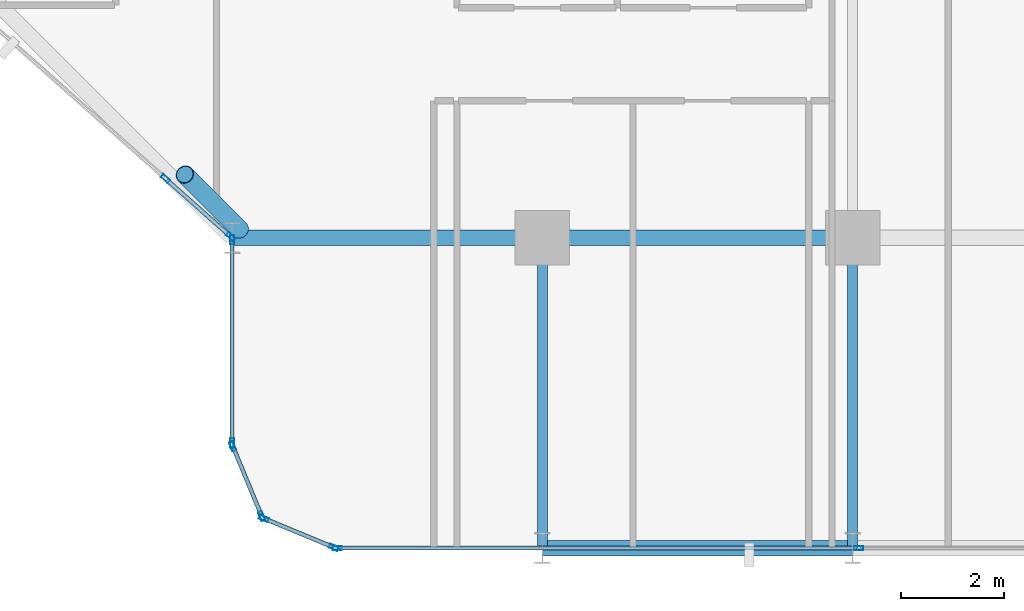
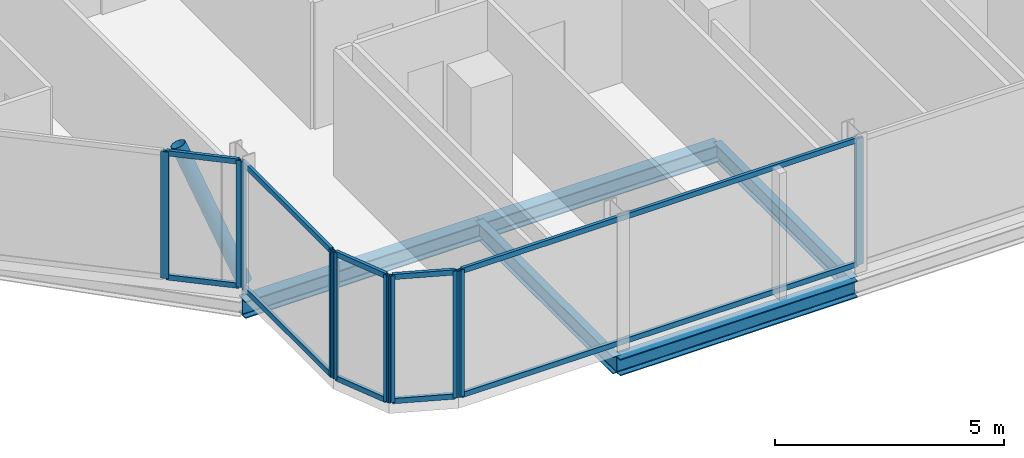
# One storey, part 4 of 29: 21 members, 5 beams, 5 elements without a shape of their own.
"""IFC4 building model written with IfcOpenShell, lengths in metres."""

from ifc_helpers import new_model, si_unit, direction, frame, origin, origin_2d, place, context, subcontext, project, spatial, hollow_rectangle, hollow_circle, i_section, extrude, material, layer, layer_set, material_profile, profile_set, type_object, element, aggregate, save


model = new_model("IFC4")

# Units and contexts
model_context = context("Model", 3, precision=1e-05, world=origin(), true_north=direction((0.0, 1.0)))
body_context = subcontext(model_context, "Body", "Model", "MODEL_VIEW")
ifc_project = project(units=[si_unit("LENGTHUNIT", "METRE"), si_unit("AREAUNIT", "SQUARE_METRE"), si_unit("VOLUMEUNIT", "CUBIC_METRE"), si_unit("PLANEANGLEUNIT", "RADIAN"), si_unit("MASSUNIT", "GRAM", prefix="KILO")], contexts=[model_context])

# Site, building, storey
site_placement = place(None, origin())
site = spatial("IfcSite", under=ifc_project, at=site_placement, CompositionType="ELEMENT")
building_placement = place(site_placement, origin())
building = spatial("IfcBuilding", under=site, at=building_placement, Name="Keshet Zoharim Tower", CompositionType="ELEMENT")
storey_placement = place(building_placement, frame((0.0, 0.0, 102.0)))
storey = spatial("IfcBuildingStorey", under=building, at=storey_placement, Name="L24", CompositionType="ELEMENT", Elevation=102.0)

# Beams
ifc_material_1 = material(Name="Steel S355", Category="steel")
ifc_material_profile_1 = material_profile(ifc_material_1, i_section(OverallWidth=0.18994140625, OverallDepth=0.449951171875, WebThickness=0.009521484375, FlangeThickness=0.0146484375, FilletRadius=0.02099609375, at=origin_2d()), Name="IPE450")
ifc_profile_set_1 = profile_set([ifc_material_profile_1], Name="Steel S355")
beam_type_1 = type_object("IfcBeamType", Name="BM-PRI-IP450", PredefinedType="BEAM", material=ifc_profile_set_1)
for number, where, z_axis, x_axis, name in (
    (1, (27.0, 0.699951171875, -0.5400390625), (0.0, 1.0, 0.0), (-1.0, 0.0, 0.0), "L24 Primary Girder Y-004"),
    (2, (33.0, 0.699951171875, -0.5400390625), (0.0, 1.0, 0.0), (-1.0, 0.0, 0.0), "L24 Primary Girder Y-005"),
):
    element("IfcBeam", number, at=place(storey_placement, frame(where, z_axis=z_axis, x_axis=x_axis)), inside=storey, type_object=beam_type_1, Name=name, PredefinedType="BEAM", context=body_context, shape_type="SweptSolid", body=[
        extrude(i_section(OverallWidth=0.18994140625, OverallDepth=0.449951171875, WebThickness=0.009521484375, FlangeThickness=0.0146484375, FilletRadius=0.02099609375, at=origin_2d()), origin(), (0.0, 0.0, 1.0), 6.0),
    ])
ifc_material_profile_2 = material_profile(ifc_material_1, i_section(OverallWidth=0.300048828125, OverallDepth=0.449951171875, WebThickness=0.013916015625, FlangeThickness=0.02587890625, FilletRadius=0.027099609375, at=origin_2d()), Name="HEB450")
ifc_profile_set_2 = profile_set([ifc_material_profile_2], Name="Steel S355")
beam_type_2 = type_object("IfcBeamType", Name="BM-WEB-HB450", PredefinedType="BEAM", material=ifc_profile_set_2)
for number, where, z_axis, x_axis, name in (
    (3, (27.0, 0.699951171875, -0.5400390625), (1.0, 0.0, 0.0), (0.0, 1.0, 0.0), "L24 Primary Girder X-001"),
    (4, (21.0, 6.699951171875, -0.5400390625), (1.0, 0.0, 0.0), (0.0, 1.0, 0.0), "L24 Primary Girder X-005"),
    (5, (27.0, 6.699951171875, -0.5400390625), (1.0, 0.0, 0.0), (0.0, 1.0, 0.0), "L24 Primary Girder X-006"),
):
    element("IfcBeam", number, at=place(storey_placement, frame(where, z_axis=z_axis, x_axis=x_axis)), inside=storey, type_object=beam_type_2, Name=name, PredefinedType="BEAM", context=body_context, shape_type="SweptSolid", body=[
        extrude(i_section(OverallWidth=0.300048828125, OverallDepth=0.449951171875, WebThickness=0.013916015625, FlangeThickness=0.02587890625, FilletRadius=0.027099609375, at=origin_2d()), origin(), (0.0, 0.0, 1.0), 6.0),
    ])

# Curtain wall, members
ifc_material_2 = material(Name="Aluminium 6063-T6", Category="aluminium")
ifc_layer = layer(ifc_material_2, 0.159912109375)
ifc_layer_set = layer_set([ifc_layer], Name="Aluminium 6063-T6")
curtain_wall_type = type_object("IfcCurtainWallType", Name="CW-SYS-03", PredefinedType="NOTDEFINED", material=ifc_layer_set)
curtain_wall_1_placement = place(storey_placement, origin())
curtain_wall_1 = element("IfcCurtainWall", 6, at=curtain_wall_1_placement, inside=storey, type_object=curtain_wall_type, Name="L24 Unitised Curtain Wall 03 Part 3", PredefinedType="NOTDEFINED")
ifc_material_profile_3 = material_profile(ifc_material_2, hollow_rectangle(XDim=0.080078125, YDim=0.179931640625, WallThickness=0.00439453125, at=origin_2d()), Name="MUL-80x180")
ifc_profile_set_3 = profile_set([ifc_material_profile_3], Name="Aluminium 6063-T6")
member_type_1 = type_object("IfcMemberType", Name="CWM-M18", PredefinedType="MULLION", material=ifc_profile_set_3)
member_1_placement = place(storey_placement, frame((33.11865234375, 0.699951171875, 0.0), z_axis=(0.0, 0.0, 1.0), x_axis=(0.0, -1.0, 0.0)))
member_1 = element("IfcMember", 7, at=member_1_placement, type_object=member_type_1, Name="CW-03 mullion 2", PredefinedType="MULLION", context=body_context, shape_type="SweptSolid", body=[
    extrude(hollow_rectangle(XDim=0.080078125, YDim=0.179931640625, WallThickness=0.00439453125, at=origin_2d()), origin(), (0.0, 0.0, 1.0), 3.385009765625),
])
member_2_placement = place(storey_placement, frame((23.034912109375, 0.699951171875, 0.0), z_axis=(0.0, 0.0, 1.0), x_axis=(0.0, -1.0, 0.0)))
member_2 = element("IfcMember", 8, at=member_2_placement, type_object=member_type_1, Name="CW-03 mullion 3", PredefinedType="MULLION", context=body_context, shape_type="SweptSolid", body=[
    extrude(hollow_rectangle(XDim=0.080078125, YDim=0.179931640625, WallThickness=0.00439453125, at=origin_2d()), origin(), (0.0, 0.0, 1.0), 3.385009765625),
])

curtain_wall_2_placement = place(storey_placement, origin())
curtain_wall_2 = element("IfcCurtainWall", 9, at=curtain_wall_2_placement, inside=storey, type_object=curtain_wall_type, Name="L24 Unitised Curtain Wall 04", PredefinedType="NOTDEFINED")
member_3_placement = place(storey_placement, frame((22.9677734375, 0.71337890625, 0.0), z_axis=(0.0, 0.0, 1.0), x_axis=(-0.382851849847, -0.92380975372, 0.0)))
member_3 = element("IfcMember", 10, at=member_3_placement, type_object=member_type_1, Name="CW-03 mullion 1", PredefinedType="MULLION", context=body_context, shape_type="SweptSolid", body=[
    extrude(hollow_rectangle(XDim=0.080078125, YDim=0.179931640625, WallThickness=0.00439453125, at=origin_2d()), origin(), (0.0, 0.0, 1.0), 3.385009765625),
])
member_4_placement = place(storey_placement, frame((21.618408203125, 1.272705078125, 0.0), z_axis=(0.0, 0.0, 1.0), x_axis=(-0.382851849847, -0.92380975372, 0.0)))
member_4 = element("IfcMember", 11, at=member_4_placement, type_object=member_type_1, Name="CW-03 mullion 2", PredefinedType="MULLION", context=body_context, shape_type="SweptSolid", body=[
    extrude(hollow_rectangle(XDim=0.080078125, YDim=0.179931640625, WallThickness=0.00439453125, at=origin_2d()), origin(), (0.0, 0.0, 1.0), 3.385009765625),
])

curtain_wall_3_placement = place(storey_placement, origin())
curtain_wall_3 = element("IfcCurtainWall", 12, at=curtain_wall_3_placement, inside=storey, type_object=curtain_wall_type, Name="L24 Unitised Curtain Wall 05", PredefinedType="NOTDEFINED")
member_5_placement = place(storey_placement, frame((21.572509765625, 1.318359375, 0.0), z_axis=(0.0, 0.0, 1.0), x_axis=(-0.92380975372, -0.382851849847, 0.0)))
member_5 = element("IfcMember", 13, at=member_5_placement, type_object=member_type_1, Name="CW-03 mullion 1", PredefinedType="MULLION", context=body_context, shape_type="SweptSolid", body=[
    extrude(hollow_rectangle(XDim=0.080078125, YDim=0.179931640625, WallThickness=0.00439453125, at=origin_2d()), origin(), (0.0, 0.0, 1.0), 3.385009765625),
])
member_6_placement = place(storey_placement, frame((21.013427734375, 2.667724609375, 0.0), z_axis=(0.0, 0.0, 1.0), x_axis=(-0.92380975372, -0.382851849847, 0.0)))
member_6 = element("IfcMember", 14, at=member_6_placement, type_object=member_type_1, Name="CW-03 mullion 2", PredefinedType="MULLION", context=body_context, shape_type="SweptSolid", body=[
    extrude(hollow_rectangle(XDim=0.080078125, YDim=0.179931640625, WallThickness=0.00439453125, at=origin_2d()), origin(), (0.0, 0.0, 1.0), 3.385009765625),
])

curtain_wall_4_placement = place(storey_placement, origin())
curtain_wall_4 = element("IfcCurtainWall", 15, at=curtain_wall_4_placement, inside=storey, type_object=curtain_wall_type, Name="L24 Unitised Curtain Wall 06", PredefinedType="NOTDEFINED")
member_7_placement = place(storey_placement, frame((21.0, 2.735107421875, 0.0), z_axis=(0.0, 0.0, 1.0), x_axis=(-1.0, 0.0, 0.0)))
member_7 = element("IfcMember", 16, at=member_7_placement, type_object=member_type_1, Name="CW-03 mullion 1", PredefinedType="MULLION", context=body_context, shape_type="SweptSolid", body=[
    extrude(hollow_rectangle(XDim=0.080078125, YDim=0.179931640625, WallThickness=0.00439453125, at=origin_2d()), origin(), (0.0, 0.0, 1.0), 3.385009765625),
])
member_8_placement = place(storey_placement, frame((21.0, 6.6650390625, 0.0), z_axis=(0.0, 0.0, 1.0), x_axis=(-1.0, 0.0, 0.0)))
member_8 = element("IfcMember", 17, at=member_8_placement, type_object=member_type_1, Name="CW-03 mullion 2", PredefinedType="MULLION", context=body_context, shape_type="SweptSolid", body=[
    extrude(hollow_rectangle(XDim=0.080078125, YDim=0.179931640625, WallThickness=0.00439453125, at=origin_2d()), origin(), (0.0, 0.0, 1.0), 3.385009765625),
])

curtain_wall_5_placement = place(storey_placement, origin())
curtain_wall_5 = element("IfcCurtainWall", 18, at=curtain_wall_5_placement, inside=storey, type_object=curtain_wall_type, Name="L24 Unitised Curtain Wall 07", PredefinedType="NOTDEFINED")
member_9_placement = place(storey_placement, frame((20.973876953125, 6.72314453125, 0.0), z_axis=(0.0, 0.0, 1.0), x_axis=(-0.664360312857, -0.747412452867, 0.0)))
member_9 = element("IfcMember", 19, at=member_9_placement, type_object=member_type_1, Name="CW-03 mullion 1", PredefinedType="MULLION", context=body_context, shape_type="SweptSolid", body=[
    extrude(hollow_rectangle(XDim=0.080078125, YDim=0.179931640625, WallThickness=0.00439453125, at=origin_2d()), origin(), (0.0, 0.0, 1.0), 3.385009765625),
])
member_10_placement = place(storey_placement, frame((19.71044921875, 7.84619140625, 0.0), z_axis=(0.0, 0.0, 1.0), x_axis=(-0.664360312857, -0.747412452867, 0.0)))
member_10 = element("IfcMember", 20, at=member_10_placement, type_object=member_type_1, Name="CW-03 mullion 2", PredefinedType="MULLION", context=body_context, shape_type="SweptSolid", body=[
    extrude(hollow_rectangle(XDim=0.080078125, YDim=0.179931640625, WallThickness=0.00439453125, at=origin_2d()), origin(), (0.0, 0.0, 1.0), 3.385009765625),
])

# Member
ifc_material_profile_4 = material_profile(ifc_material_2, hollow_rectangle(XDim=0.080078125, YDim=0.139892578125, WallThickness=0.00390625, at=origin_2d()), Name="TRN-80x140")
ifc_profile_set_4 = profile_set([ifc_material_profile_4], Name="Aluminium 6063-T6")
member_type_2 = type_object("IfcMemberType", Name="CWT-T14", PredefinedType="USERDEFINED", material=ifc_profile_set_4)
member_11_placement = place(storey_placement, frame((33.083740234375, 0.699951171875, 0.034912109375), z_axis=(-1.0, 0.0, 0.0), x_axis=(0.0, -1.0, 0.0)))
member_11 = element("IfcMember", 21, at=member_11_placement, type_object=member_type_2, Name="CW-03 transom 2.1", ObjectType="TRANSOM", PredefinedType="USERDEFINED", context=body_context, shape_type="SweptSolid", body=[
    extrude(hollow_rectangle(XDim=0.080078125, YDim=0.139892578125, WallThickness=0.00390625, at=origin_2d()), origin(), (0.0, 0.0, 1.0), 10.013671875),
])

member_12_placement = place(storey_placement, frame((33.083740234375, 0.699951171875, 3.35009765625), z_axis=(-1.0, 0.0, 0.0), x_axis=(0.0, -1.0, 0.0)))
member_12 = element("IfcMember", 22, at=member_12_placement, type_object=member_type_2, Name="CW-03 transom 2.2", ObjectType="TRANSOM", PredefinedType="USERDEFINED", context=body_context, shape_type="SweptSolid", body=[
    extrude(hollow_rectangle(XDim=0.080078125, YDim=0.139892578125, WallThickness=0.00390625, at=origin_2d()), origin(), (0.0, 0.0, 1.0), 10.013671875),
])

aggregate(curtain_wall_1, [member_1, member_2, member_11, member_12])

member_13_placement = place(storey_placement, frame((22.935302734375, 0.726806640625, 0.034912109375), z_axis=(-0.92379209995, 0.382894445076, 0.0), x_axis=(-0.382894445076, -0.92379209995, 0.0)))
member_13 = element("IfcMember", 23, at=member_13_placement, type_object=member_type_2, Name="CW-03 transom 1.1", ObjectType="TRANSOM", PredefinedType="USERDEFINED", context=body_context, shape_type="SweptSolid", body=[
    extrude(hollow_rectangle(XDim=0.080078125, YDim=0.139892578125, WallThickness=0.00390625, at=origin_2d()), origin(), (0.0, 0.0, 1.0), 1.390625),
])

member_14_placement = place(storey_placement, frame((22.935302734375, 0.726806640625, 3.35009765625), z_axis=(-0.92379209995, 0.382894445076, 0.0), x_axis=(-0.382894445076, -0.92379209995, 0.0)))
member_14 = element("IfcMember", 24, at=member_14_placement, type_object=member_type_2, Name="CW-03 transom 1.2", ObjectType="TRANSOM", PredefinedType="USERDEFINED", context=body_context, shape_type="SweptSolid", body=[
    extrude(hollow_rectangle(XDim=0.080078125, YDim=0.139892578125, WallThickness=0.00390625, at=origin_2d()), origin(), (0.0, 0.0, 1.0), 1.390625),
])

aggregate(curtain_wall_2, [member_3, member_4, member_13, member_14])

member_15_placement = place(storey_placement, frame((21.55908203125, 1.3505859375, 0.034912109375), z_axis=(-0.382744609247, 0.923854189844, 0.0), x_axis=(-0.923854189844, -0.382744609247, 0.0)))
member_15 = element("IfcMember", 25, at=member_15_placement, type_object=member_type_2, Name="CW-03 transom 1.1", ObjectType="TRANSOM", PredefinedType="USERDEFINED", context=body_context, shape_type="SweptSolid", body=[
    extrude(hollow_rectangle(XDim=0.080078125, YDim=0.139892578125, WallThickness=0.00390625, at=origin_2d()), origin(), (0.0, 0.0, 1.0), 1.390625),
])

member_16_placement = place(storey_placement, frame((21.55908203125, 1.3505859375, 3.35009765625), z_axis=(-0.382744609247, 0.923854189844, 0.0), x_axis=(-0.923854189844, -0.382744609247, 0.0)))
member_16 = element("IfcMember", 26, at=member_16_placement, type_object=member_type_2, Name="CW-03 transom 1.2", ObjectType="TRANSOM", PredefinedType="USERDEFINED", context=body_context, shape_type="SweptSolid", body=[
    extrude(hollow_rectangle(XDim=0.080078125, YDim=0.139892578125, WallThickness=0.00390625, at=origin_2d()), origin(), (0.0, 0.0, 1.0), 1.390625),
])

aggregate(curtain_wall_3, [member_5, member_6, member_15, member_16])

member_17_placement = place(storey_placement, frame((21.0, 2.77001953125, 0.034912109375), z_axis=(0.0, 1.0, 0.0), x_axis=(-1.0, 0.0, 0.0)))
member_17 = element("IfcMember", 27, at=member_17_placement, type_object=member_type_2, Name="CW-03 transom 1.1", ObjectType="TRANSOM", PredefinedType="USERDEFINED", context=body_context, shape_type="SweptSolid", body=[
    extrude(hollow_rectangle(XDim=0.080078125, YDim=0.139892578125, WallThickness=0.00390625, at=origin_2d()), origin(), (0.0, 0.0, 1.0), 3.85986328125),
])

member_18_placement = place(storey_placement, frame((21.0, 2.77001953125, 3.35009765625), z_axis=(0.0, 1.0, 0.0), x_axis=(-1.0, 0.0, 0.0)))
member_18 = element("IfcMember", 28, at=member_18_placement, type_object=member_type_2, Name="CW-03 transom 1.2", ObjectType="TRANSOM", PredefinedType="USERDEFINED", context=body_context, shape_type="SweptSolid", body=[
    extrude(hollow_rectangle(XDim=0.080078125, YDim=0.139892578125, WallThickness=0.00390625, at=origin_2d()), origin(), (0.0, 0.0, 1.0), 3.85986328125),
])

aggregate(curtain_wall_4, [member_7, member_8, member_17, member_18])

member_19_placement = place(storey_placement, frame((20.94775390625, 6.74658203125, 0.034912109375), z_axis=(-0.747467505114, 0.664298373322, 0.0), x_axis=(-0.664298373322, -0.747467505114, 0.0)))
member_19 = element("IfcMember", 29, at=member_19_placement, type_object=member_type_2, Name="CW-03 transom 1.1", ObjectType="TRANSOM", PredefinedType="USERDEFINED", context=body_context, shape_type="SweptSolid", body=[
    extrude(hollow_rectangle(XDim=0.080078125, YDim=0.139892578125, WallThickness=0.00390625, at=origin_2d()), origin(), (0.0, 0.0, 1.0), 1.620361328125),
])

member_20_placement = place(storey_placement, frame((20.94775390625, 6.74658203125, 3.35009765625), z_axis=(-0.747467505114, 0.664298373322, 0.0), x_axis=(-0.664298373322, -0.747467505114, 0.0)))
member_20 = element("IfcMember", 30, at=member_20_placement, type_object=member_type_2, Name="CW-03 transom 1.2", ObjectType="TRANSOM", PredefinedType="USERDEFINED", context=body_context, shape_type="SweptSolid", body=[
    extrude(hollow_rectangle(XDim=0.080078125, YDim=0.139892578125, WallThickness=0.00390625, at=origin_2d()), origin(), (0.0, 0.0, 1.0), 1.620361328125),
])

aggregate(curtain_wall_5, [member_9, member_10, member_19, member_20])

ifc_material_profile_5 = material_profile(ifc_material_1, hollow_circle(Radius=0.177734375, WallThickness=0.012451171875, at=origin_2d()), Name="CHS355x12.5")
ifc_profile_set_5 = profile_set([ifc_material_profile_5], Name="Steel S355")
member_type_3 = type_object("IfcMemberType", Name="MB-BR-C355", PredefinedType="BRACE", material=ifc_profile_set_5)
member_21_placement = place(storey_placement, frame((21.14599609375, 6.864013671875, 0.0), z_axis=(-0.286558246199, 0.286558246199, 0.914203884848), x_axis=(-0.707106781187, -0.707106781187, 0.0)))
element("IfcMember", 31, at=member_21_placement, inside=storey, type_object=member_type_3, Name="L24 Perimeter Tube Brace 01", PredefinedType="BRACE", context=body_context, shape_type="SweptSolid", body=[
    extrude(hollow_circle(Radius=0.177734375, WallThickness=0.012451171875, at=origin_2d()), origin(), (0.0, 0.0, 1.0), 3.70263671875),
])

save(model, "model.ifc")
